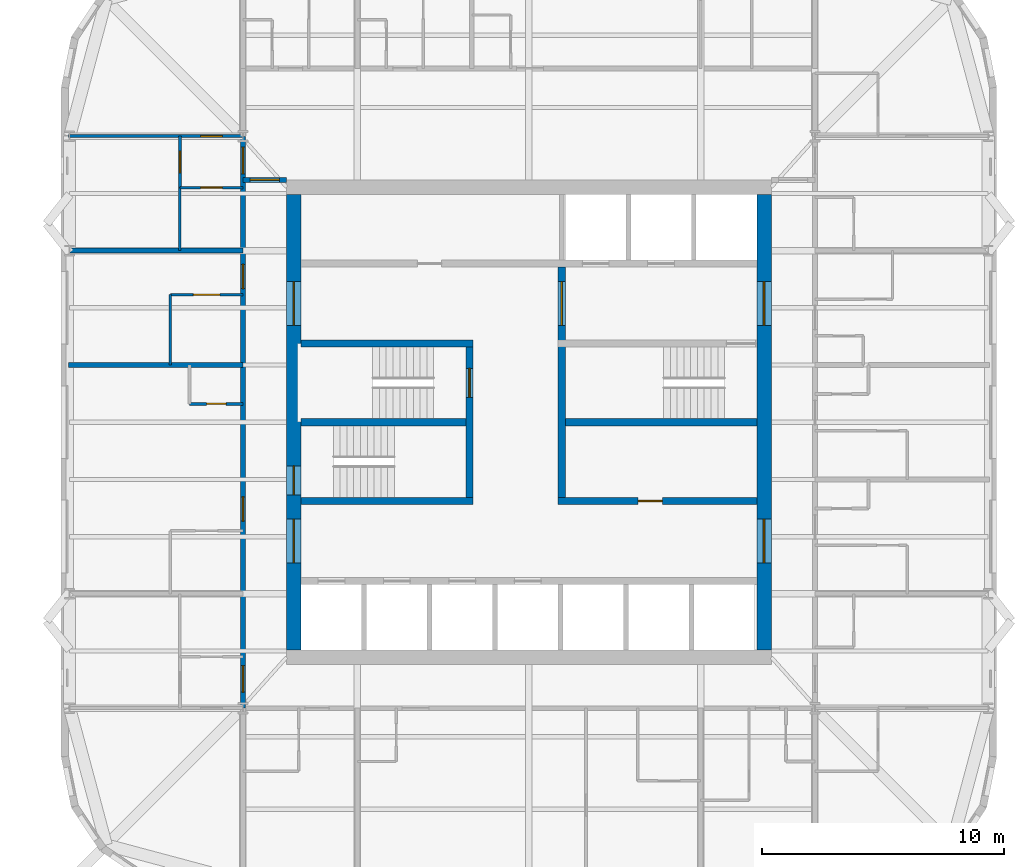
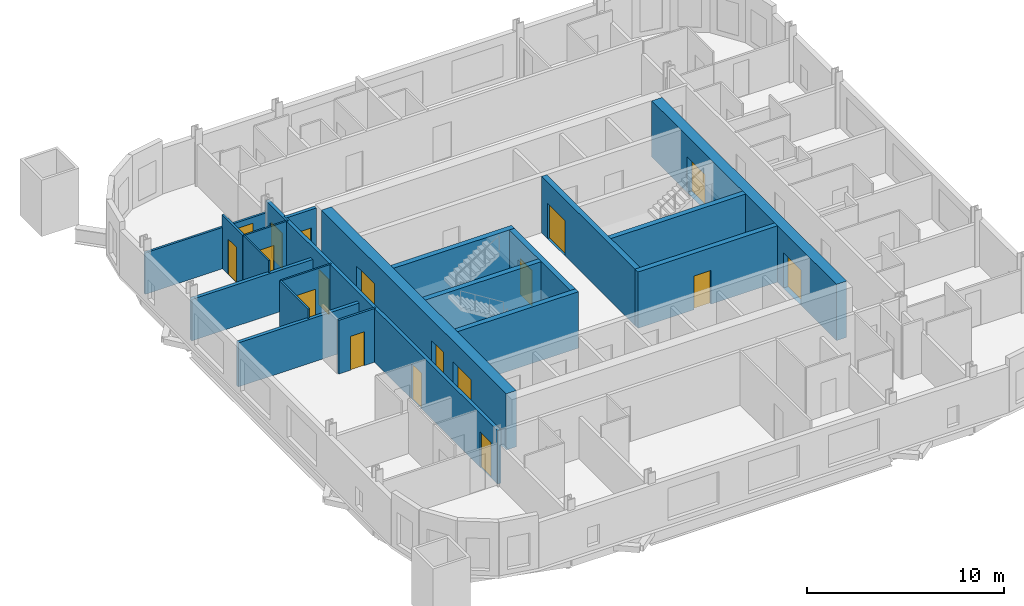
# One storey, part 4 of 9: 20 walls, 18 doors, 18 openings.
"""IFC4 building model written with IfcOpenShell, lengths in metres."""

from ifc_helpers import new_model, si_unit, direction, frame, frame_2d, origin, place, context, subcontext, project, spatial, rectangle, extrude, material, layer, layer_set, type_object, element, fill, save


model = new_model("IFC4")

# Units and contexts
model_context = context("Model", 3, precision=1e-05, world=origin(), true_north=direction((0.0, 1.0)))
body_context = subcontext(model_context, "Body", "Model", "MODEL_VIEW")
ifc_project = project(units=[si_unit("LENGTHUNIT", "METRE"), si_unit("AREAUNIT", "SQUARE_METRE"), si_unit("VOLUMEUNIT", "CUBIC_METRE"), si_unit("PLANEANGLEUNIT", "RADIAN"), si_unit("MASSUNIT", "GRAM", prefix="KILO")], contexts=[model_context])

# Site, building, storey
site_placement = place(None, origin())
site = spatial("IfcSite", under=ifc_project, at=site_placement, CompositionType="ELEMENT")
building_placement = place(site_placement, origin())
building = spatial("IfcBuilding", under=site, at=building_placement, Name="Turquesa Mirador Hotel Tower", CompositionType="ELEMENT")
storey_placement = place(building_placement, frame((0.0, 0.0, 203.800048828125)))
storey = spatial("IfcBuildingStorey", under=building, at=storey_placement, Name="L55", CompositionType="ELEMENT", Elevation=203.800048828125)

# Wall, opening, door
ifc_material_1 = material(Name="Gypsum board on steel studs", Category="steel")
ifc_layer_1 = layer(ifc_material_1, 0.10009765625)
ifc_layer_set_1 = layer_set([ifc_layer_1], Name="BATHROOM WALL 100")
wall_type_1 = type_object("IfcWallType", Name="BATHROOM WALL 100", PredefinedType="PARTITIONING", material=ifc_layer_set_1)
wall_1_placement = place(storey_placement, frame((40.199951171875, 50.260009765625, 0.0), z_axis=(0.0, 0.0, 1.0), x_axis=(1.0, 0.0, 0.0)))
wall_1 = element("IfcWall", 1, at=wall_1_placement, inside=storey, type_object=wall_type_1, Name="Partition L55 040", PredefinedType="PARTITIONING", context=body_context, shape_type="SweptSolid", body=[
    extrude(rectangle(XDim=3.0, YDim=0.10009765625, at=frame_2d((1.5, 0.0))), origin(), (0.0, 0.0, 1.0), 3.329833984375),
])
opening_1_placement = place(wall_1_placement, frame((0.949951171875, 0.0, 0.0)))
opening_1 = element("IfcOpeningElement", 2, at=opening_1_placement, cuts=wall_1, Name="Opening D16", PredefinedType="OPENING", context=body_context, shape_type="SweptSolid", body=[
    extrude(rectangle(XDim=1.10009765625, YDim=2.10009765625, at=frame_2d((0.550048828125, 1.050048828125))), frame((0.0, 0.06005859375, 0.0), z_axis=(0.0, -1.0, 0.0), x_axis=(1.0, 0.0, 0.0)), (0.0, 0.0, 1.0), 0.1201171875),
])
ifc_material_2 = material(Name="Timber veneered sliding door", Category="wood")
door_type_1 = type_object("IfcDoorType", Name="DOOR 1100X2100 ACCESSIBLE EN-SUITE", OperationType="SLIDING_TO_LEFT", PredefinedType="DOOR", material=ifc_material_2)
door_1_placement = place(opening_1_placement, origin())
door_1 = element("IfcDoor", 3, at=door_1_placement, inside=storey, type_object=door_type_1, Name="Door 5511B", OperationType="SLIDING_TO_LEFT", OverallHeight=2.10009765625, OverallWidth=1.10009765625, PredefinedType="DOOR", context=body_context, shape_type="SweptSolid", body=[
    extrude(rectangle(XDim=1.10009765625, YDim=2.10009765625, at=frame_2d((0.550048828125, 1.050048828125))), frame((0.0, 0.02490234375, 0.0), z_axis=(0.0, -1.0, 0.0), x_axis=(1.0, 0.0, 0.0)), (0.0, 0.0, 1.0), 0.050048828125),
])
fill(opening_1, door_1)

wall_2_placement = place(storey_placement, frame((40.60009765625, 54.679931640625, 0.0), z_axis=(0.0, 0.0, 1.0), x_axis=(1.0, 0.0, 0.0)))
wall_2 = element("IfcWall", 4, at=wall_2_placement, inside=storey, type_object=wall_type_1, Name="Partition L55 044", PredefinedType="PARTITIONING", context=body_context, shape_type="SweptSolid", body=[
    extrude(rectangle(XDim=2.599853515625, YDim=0.10009765625, at=frame_2d((1.2998046875, 0.0))), origin(), (0.0, 0.0, 1.0), 3.329833984375),
])
opening_2_placement = place(wall_2_placement, frame((0.85009765625, 0.0, 0.0)))
opening_2 = element("IfcOpeningElement", 5, at=opening_2_placement, cuts=wall_2, Name="Opening D02", PredefinedType="OPENING", context=body_context, shape_type="SweptSolid", body=[
    extrude(rectangle(XDim=0.89990234375, YDim=2.10009765625, at=frame_2d((0.449951171875, 1.050048828125))), frame((0.0, 0.06005859375, 0.0), z_axis=(0.0, -1.0, 0.0), x_axis=(1.0, 0.0, 0.0)), (0.0, 0.0, 1.0), 0.1201171875),
])
ifc_material_3 = material(Name="Timber veneered door", Category="wood")
door_type_2 = type_object("IfcDoorType", Name="DOOR 900X2100 EN-SUITE", OperationType="SINGLE_SWING_RIGHT", PredefinedType="DOOR", material=ifc_material_3)
door_2_placement = place(opening_2_placement, origin())
door_2 = element("IfcDoor", 6, at=door_2_placement, inside=storey, type_object=door_type_2, Name="Door 5513B", OperationType="SINGLE_SWING_RIGHT", OverallHeight=2.10009765625, OverallWidth=0.89990234375, PredefinedType="DOOR", context=body_context, shape_type="SweptSolid", body=[
    extrude(rectangle(XDim=0.89990234375, YDim=2.10009765625, at=frame_2d((0.449951171875, 1.050048828125))), frame((0.0, 0.02490234375, 0.0), z_axis=(0.0, -1.0, 0.0), x_axis=(1.0, 0.0, 0.0)), (0.0, 0.0, 1.0), 0.050048828125),
])
fill(opening_2, door_2)

# Walls
wall_3_placement = place(storey_placement, frame((40.60009765625, 52.080078125, 0.0), z_axis=(0.0, 0.0, 1.0), x_axis=(0.0, 1.0, 0.0)))
element("IfcWall", 7, at=wall_3_placement, inside=storey, type_object=wall_type_1, Name="Partition L55 052", PredefinedType="PARTITIONING", context=body_context, shape_type="SweptSolid", body=[
    extrude(rectangle(XDim=2.599853515625, YDim=0.10009765625, at=frame_2d((1.2998046875, 0.0))), origin(), (0.0, 0.0, 1.0), 3.329833984375),
])
wall_4_placement = place(storey_placement, frame((40.199951171875, 47.360107421875, 0.0), z_axis=(0.0, 0.0, 1.0), x_axis=(0.0, 1.0, 0.0)))
element("IfcWall", 8, at=wall_4_placement, inside=storey, type_object=wall_type_1, Name="Partition L55 056", PredefinedType="PARTITIONING", context=body_context, shape_type="SweptSolid", body=[
    extrude(rectangle(XDim=2.89990234375, YDim=0.10009765625, at=frame_2d((1.449951171875, 0.0))), origin(), (0.0, 0.0, 1.0), 3.329833984375),
])
ifc_material_4 = material(Name="Concrete C50/60", Category="concrete")
ifc_layer_2 = layer(ifc_material_4, 0.300048828125)
ifc_layer_set_2 = layer_set([ifc_layer_2], Name="CORE INNER WALL 300")
wall_type_2 = type_object("IfcWallType", Name="CORE INNER WALL 300", PredefinedType="SHEAR", material=ifc_layer_set_2)
for number, where, z_axis, x_axis, name in (
    (9, (45.60009765625, 48.25, 0.0), (0.0, 0.0, 1.0), (1.0, 0.0, 0.0), "Core wall MN-W"),
    (10, (45.60009765625, 41.75, 0.0), (0.0, 0.0, 1.0), (1.0, 0.0, 0.0), "Core wall MS-W"),
):
    element("IfcWall", number, at=place(storey_placement, frame(where, z_axis=z_axis, x_axis=x_axis)), inside=storey, type_object=wall_type_2, Name=name, PredefinedType="SHEAR", context=body_context, shape_type="SweptSolid", body=[
        extrude(rectangle(XDim=7.099853515625, YDim=0.300048828125, at=frame_2d((3.5498046875, 0.0))), origin(), (0.0, 0.0, 1.0), 3.5),
    ])

# Wall, opening, door
wall_5_placement = place(storey_placement, frame((56.199951171875, 41.75, 0.0), z_axis=(0.0, 0.0, 1.0), x_axis=(1.0, 0.0, 0.0)))
wall_5 = element("IfcWall", 11, at=wall_5_placement, inside=storey, type_object=wall_type_2, Name="Core wall MS-E", PredefinedType="SHEAR", context=body_context, shape_type="SweptSolid", body=[
    extrude(rectangle(XDim=8.199951171875, YDim=0.300048828125, at=frame_2d((4.10009765625, 0.0))), origin(), (0.0, 0.0, 1.0), 3.5),
])
opening_3_placement = place(wall_5_placement, frame((3.300048828125, 0.0, 0.0)))
opening_3 = element("IfcOpeningElement", 12, at=opening_3_placement, cuts=wall_5, Name="Opening D05", PredefinedType="OPENING", context=body_context, shape_type="SweptSolid", body=[
    extrude(rectangle(XDim=1.0, YDim=2.10009765625, at=frame_2d((0.5, 1.050048828125))), frame((0.0, 0.159912109375, 0.0), z_axis=(0.0, -1.0, 0.0), x_axis=(1.0, 0.0, 0.0)), (0.0, 0.0, 1.0), 0.320068359375),
])
ifc_material_5 = material(Name="Steel fire door", Category="steel")
door_type_3 = type_object("IfcDoorType", Name="DOOR 1000X2100 SERVICE", OperationType="SINGLE_SWING_LEFT", PredefinedType="DOOR", material=ifc_material_5)
door_3_placement = place(opening_3_placement, origin())
door_3 = element("IfcDoor", 13, at=door_3_placement, inside=storey, type_object=door_type_3, Name="Housekeeping room door", OperationType="SINGLE_SWING_LEFT", OverallHeight=2.10009765625, OverallWidth=1.0, PredefinedType="DOOR", context=body_context, shape_type="SweptSolid", body=[
    extrude(rectangle(XDim=1.0, YDim=2.10009765625, at=frame_2d((0.5, 1.050048828125))), frame((0.0, 0.02490234375, 0.0), z_axis=(0.0, -1.0, 0.0), x_axis=(1.0, 0.0, 0.0)), (0.0, 0.0, 1.0), 0.050048828125),
])
fill(opening_3, door_3)

wall_6_placement = place(storey_placement, frame((52.550048828125, 41.89990234375, 0.0), z_axis=(0.0, 0.0, 1.0), x_axis=(0.0, 1.0, 0.0)))
wall_6 = element("IfcWall", 14, at=wall_6_placement, inside=storey, type_object=wall_type_2, Name="Core wall PW", PredefinedType="SHEAR", context=body_context, shape_type="SweptSolid", body=[
    extrude(rectangle(XDim=6.2001953125, YDim=0.300048828125, at=frame_2d((3.10009765625, 0.0))), origin(), (0.0, 0.0, 1.0), 3.5),
])
opening_4_placement = place(wall_6_placement, frame((4.125, 0.0, 0.0)))
opening_4 = element("IfcOpeningElement", 15, at=opening_4_placement, cuts=wall_6, Name="Opening D03", PredefinedType="OPENING", context=body_context, shape_type="SweptSolid", body=[
    extrude(rectangle(XDim=1.199951171875, YDim=2.199951171875, at=frame_2d((0.60009765625, 1.10009765625))), frame((0.0, 0.159912109375, 0.0), z_axis=(0.0, -1.0, 0.0), x_axis=(1.0, 0.0, 0.0)), (0.0, 0.0, 1.0), 0.320068359375),
])
ifc_material_6 = material(Name="Steel fire door", Category="steel")
door_type_4 = type_object("IfcDoorType", Name="DOOR 1200X2200 STAIR", OperationType="SINGLE_SWING_LEFT", PredefinedType="DOOR", material=ifc_material_6)
door_4_placement = place(opening_4_placement, origin())
door_4 = element("IfcDoor", 16, at=door_4_placement, inside=storey, type_object=door_type_4, Name="Stair ST1 door", OperationType="SINGLE_SWING_LEFT", OverallHeight=2.199951171875, OverallWidth=1.199951171875, PredefinedType="DOOR", context=body_context, shape_type="SweptSolid", body=[
    extrude(rectangle(XDim=1.199951171875, YDim=2.199951171875, at=frame_2d((0.60009765625, 1.10009765625))), frame((0.0, 0.02490234375, 0.0), z_axis=(0.0, -1.0, 0.0), x_axis=(1.0, 0.0, 0.0)), (0.0, 0.0, 1.0), 0.050048828125),
])
fill(opening_4, door_4)

wall_7_placement = place(storey_placement, frame((56.35009765625, 41.89990234375, 0.0), z_axis=(0.0, 0.0, 1.0), x_axis=(0.0, 1.0, 0.0)))
wall_7 = element("IfcWall", 17, at=wall_7_placement, inside=storey, type_object=wall_type_2, Name="Core wall PE", PredefinedType="SHEAR", context=body_context, shape_type="SweptSolid", body=[
    extrude(rectangle(XDim=9.5, YDim=0.300048828125, at=frame_2d((4.75, 0.0))), origin(), (0.0, 0.0, 1.0), 3.5),
])
opening_5_placement = place(wall_7_placement, frame((7.10009765625, 0.0, 0.0)))
opening_5 = element("IfcOpeningElement", 18, at=opening_5_placement, cuts=wall_7, Name="Opening D04", PredefinedType="OPENING", context=body_context, shape_type="SweptSolid", body=[
    extrude(rectangle(XDim=1.800048828125, YDim=2.199951171875, at=frame_2d((0.89990234375, 1.10009765625))), frame((0.0, 0.159912109375, 0.0), z_axis=(0.0, -1.0, 0.0), x_axis=(1.0, 0.0, 0.0)), (0.0, 0.0, 1.0), 0.320068359375),
])
ifc_material_7 = material(Name="Steel fire door pair", Category="steel")
door_type_5 = type_object("IfcDoorType", Name="DOOR 1800X2200 PAIR", OperationType="DOUBLE_DOOR_SINGLE_SWING", PredefinedType="DOOR", material=ifc_material_7)
door_5_placement = place(opening_5_placement, origin())
door_5 = element("IfcDoor", 19, at=door_5_placement, inside=storey, type_object=door_type_5, Name="Firefighting lobby inner door", OperationType="DOUBLE_DOOR_SINGLE_SWING", OverallHeight=2.199951171875, OverallWidth=1.800048828125, PredefinedType="DOOR", context=body_context, shape_type="SweptSolid", body=[
    extrude(rectangle(XDim=1.800048828125, YDim=2.199951171875, at=frame_2d((0.89990234375, 1.10009765625))), frame((0.0, 0.02490234375, 0.0), z_axis=(0.0, -1.0, 0.0), x_axis=(1.0, 0.0, 0.0)), (0.0, 0.0, 1.0), 0.050048828125),
])
fill(opening_5, door_5)

# Walls
wall_8_placement = place(storey_placement, frame((45.60009765625, 45.0, 0.0), z_axis=(0.0, 0.0, 1.0), x_axis=(1.0, 0.0, 0.0)))
element("IfcWall", 20, at=wall_8_placement, inside=storey, type_object=wall_type_2, Name="Core wall M0-W", PredefinedType="SHEAR", context=body_context, shape_type="SweptSolid", body=[
    extrude(rectangle(XDim=6.7998046875, YDim=0.300048828125, at=frame_2d((3.39990234375, 0.0))), origin(), (0.0, 0.0, 1.0), 3.5),
])
wall_9_placement = place(storey_placement, frame((56.5, 45.0, 0.0), z_axis=(0.0, 0.0, 1.0), x_axis=(1.0, 0.0, 0.0)))
element("IfcWall", 21, at=wall_9_placement, inside=storey, type_object=wall_type_2, Name="Core wall M0-E", PredefinedType="SHEAR", context=body_context, shape_type="SweptSolid", body=[
    extrude(rectangle(XDim=7.89990234375, YDim=0.300048828125, at=frame_2d((3.949951171875, 0.0))), origin(), (0.0, 0.0, 1.0), 3.5),
])

# Wall, openings, doors
ifc_material_8 = material(Name="Concrete C50/60", Category="concrete")
ifc_layer_3 = layer(ifc_material_8, 0.60009765625)
ifc_layer_set_3 = layer_set([ifc_layer_3], Name="CORE WALL 600")
wall_type_3 = type_object("IfcWallType", Name="CORE WALL 600", PredefinedType="SHEAR", material=ifc_layer_set_3)
wall_10_placement = place(storey_placement, frame((64.699951171875, 35.60009765625, 0.0), z_axis=(0.0, 0.0, 1.0), x_axis=(0.0, 1.0, 0.0)))
wall_10 = element("IfcWall", 22, at=wall_10_placement, inside=storey, type_object=wall_type_3, Name="Core wall E", PredefinedType="SHEAR", context=body_context, shape_type="SweptSolid", body=[
    extrude(rectangle(XDim=18.7998046875, YDim=0.60009765625, at=frame_2d((9.39990234375, 0.0))), origin(), (0.0, 0.0, 1.0), 3.5),
])
opening_6_placement = place(wall_10_placement, frame((13.39990234375, 0.0, 0.0)))
opening_6 = element("IfcOpeningElement", 23, at=opening_6_placement, cuts=wall_10, Name="Opening D04", PredefinedType="OPENING", context=body_context, shape_type="SweptSolid", body=[
    extrude(rectangle(XDim=1.800048828125, YDim=2.199951171875, at=frame_2d((0.89990234375, 1.10009765625))), frame((0.0, 0.31005859375, 0.0), z_axis=(0.0, -1.0, 0.0), x_axis=(1.0, 0.0, 0.0)), (0.0, 0.0, 1.0), 0.6201171875),
])
opening_7_placement = place(wall_10_placement, frame((3.60009765625, 0.0, 0.0)))
opening_7 = element("IfcOpeningElement", 24, at=opening_7_placement, cuts=wall_10, Name="Opening D04", PredefinedType="OPENING", context=body_context, shape_type="SweptSolid", body=[
    extrude(rectangle(XDim=1.800048828125, YDim=2.199951171875, at=frame_2d((0.89990234375, 1.10009765625))), frame((0.0, 0.31005859375, 0.0), z_axis=(0.0, -1.0, 0.0), x_axis=(1.0, 0.0, 0.0)), (0.0, 0.0, 1.0), 0.6201171875),
])
door_6_placement = place(opening_6_placement, origin())
door_6 = element("IfcDoor", 25, at=door_6_placement, inside=storey, type_object=door_type_5, Name="Firefighting lobby door", OperationType="DOUBLE_DOOR_SINGLE_SWING", OverallHeight=2.199951171875, OverallWidth=1.800048828125, PredefinedType="DOOR", context=body_context, shape_type="SweptSolid", body=[
    extrude(rectangle(XDim=1.800048828125, YDim=2.199951171875, at=frame_2d((0.89990234375, 1.10009765625))), frame((0.0, 0.02490234375, 0.0), z_axis=(0.0, -1.0, 0.0), x_axis=(1.0, 0.0, 0.0)), (0.0, 0.0, 1.0), 0.050048828125),
])
fill(opening_6, door_6)
door_7_placement = place(opening_7_placement, origin())
door_7 = element("IfcDoor", 26, at=door_7_placement, inside=storey, type_object=door_type_5, Name="South lift lobby door", OperationType="DOUBLE_DOOR_SINGLE_SWING", OverallHeight=2.199951171875, OverallWidth=1.800048828125, PredefinedType="DOOR", context=body_context, shape_type="SweptSolid", body=[
    extrude(rectangle(XDim=1.800048828125, YDim=2.199951171875, at=frame_2d((0.89990234375, 1.10009765625))), frame((0.0, 0.02490234375, 0.0), z_axis=(0.0, -1.0, 0.0), x_axis=(1.0, 0.0, 0.0)), (0.0, 0.0, 1.0), 0.050048828125),
])
fill(opening_7, door_7)

wall_11_placement = place(storey_placement, frame((45.300048828125, 35.60009765625, 0.0), z_axis=(0.0, 0.0, 1.0), x_axis=(0.0, 1.0, 0.0)))
wall_11 = element("IfcWall", 27, at=wall_11_placement, inside=storey, type_object=wall_type_3, Name="Core wall W", PredefinedType="SHEAR", context=body_context, shape_type="SweptSolid", body=[
    extrude(rectangle(XDim=18.7998046875, YDim=0.60009765625, at=frame_2d((9.39990234375, 0.0))), origin(), (0.0, 0.0, 1.0), 3.5),
])
opening_8_placement = place(wall_11_placement, frame((13.39990234375, 0.0, 0.0)))
opening_8 = element("IfcOpeningElement", 28, at=opening_8_placement, cuts=wall_11, Name="Opening D04", PredefinedType="OPENING", context=body_context, shape_type="SweptSolid", body=[
    extrude(rectangle(XDim=1.800048828125, YDim=2.199951171875, at=frame_2d((0.89990234375, 1.10009765625))), frame((0.0, 0.31005859375, 0.0), z_axis=(0.0, -1.0, 0.0), x_axis=(1.0, 0.0, 0.0)), (0.0, 0.0, 1.0), 0.6201171875),
])
opening_9_placement = place(wall_11_placement, frame((3.60009765625, 0.0, 0.0)))
opening_9 = element("IfcOpeningElement", 29, at=opening_9_placement, cuts=wall_11, Name="Opening D04", PredefinedType="OPENING", context=body_context, shape_type="SweptSolid", body=[
    extrude(rectangle(XDim=1.800048828125, YDim=2.199951171875, at=frame_2d((0.89990234375, 1.10009765625))), frame((0.0, 0.31005859375, 0.0), z_axis=(0.0, -1.0, 0.0), x_axis=(1.0, 0.0, 0.0)), (0.0, 0.0, 1.0), 0.6201171875),
])
opening_10_placement = place(wall_11_placement, frame((6.39990234375, 0.0, 0.0)))
opening_10 = element("IfcOpeningElement", 30, at=opening_10_placement, cuts=wall_11, Name="Opening D03", PredefinedType="OPENING", context=body_context, shape_type="SweptSolid", body=[
    extrude(rectangle(XDim=1.199951171875, YDim=2.199951171875, at=frame_2d((0.60009765625, 1.10009765625))), frame((0.0, 0.31005859375, 0.0), z_axis=(0.0, -1.0, 0.0), x_axis=(1.0, 0.0, 0.0)), (0.0, 0.0, 1.0), 0.6201171875),
])
door_8_placement = place(opening_10_placement, origin())
door_8 = element("IfcDoor", 31, at=door_8_placement, inside=storey, type_object=door_type_4, Name="Stair ST2 door", OperationType="SINGLE_SWING_LEFT", OverallHeight=2.199951171875, OverallWidth=1.199951171875, PredefinedType="DOOR", context=body_context, shape_type="SweptSolid", body=[
    extrude(rectangle(XDim=1.199951171875, YDim=2.199951171875, at=frame_2d((0.60009765625, 1.10009765625))), frame((0.0, 0.02490234375, 0.0), z_axis=(0.0, -1.0, 0.0), x_axis=(1.0, 0.0, 0.0)), (0.0, 0.0, 1.0), 0.050048828125),
])
fill(opening_10, door_8)
door_9_placement = place(opening_8_placement, origin())
door_9 = element("IfcDoor", 32, at=door_9_placement, inside=storey, type_object=door_type_5, Name="North lift lobby door", OperationType="DOUBLE_DOOR_SINGLE_SWING", OverallHeight=2.199951171875, OverallWidth=1.800048828125, PredefinedType="DOOR", context=body_context, shape_type="SweptSolid", body=[
    extrude(rectangle(XDim=1.800048828125, YDim=2.199951171875, at=frame_2d((0.89990234375, 1.10009765625))), frame((0.0, 0.02490234375, 0.0), z_axis=(0.0, -1.0, 0.0), x_axis=(1.0, 0.0, 0.0)), (0.0, 0.0, 1.0), 0.050048828125),
])
fill(opening_8, door_9)
door_10_placement = place(opening_9_placement, origin())
door_10 = element("IfcDoor", 33, at=door_10_placement, inside=storey, type_object=door_type_5, Name="South lift lobby door", OperationType="DOUBLE_DOOR_SINGLE_SWING", OverallHeight=2.199951171875, OverallWidth=1.800048828125, PredefinedType="DOOR", context=body_context, shape_type="SweptSolid", body=[
    extrude(rectangle(XDim=1.800048828125, YDim=2.199951171875, at=frame_2d((0.89990234375, 1.10009765625))), frame((0.0, 0.02490234375, 0.0), z_axis=(0.0, -1.0, 0.0), x_axis=(1.0, 0.0, 0.0)), (0.0, 0.0, 1.0), 0.050048828125),
])
fill(opening_9, door_10)

# Wall, opening, door
ifc_material_9 = material(Name="Fire-rated gypsum board on steel studs", Category="steel")
ifc_layer_4 = layer(ifc_material_9, 0.199951171875)
ifc_layer_set_4 = layer_set([ifc_layer_4], Name="CORRIDOR WALL 200")
wall_type_4 = type_object("IfcWallType", Name="CORRIDOR WALL 200", PredefinedType="PARTITIONING", material=ifc_layer_set_4)
wall_12_placement = place(storey_placement, frame((43.199951171875, 55.0, 0.0), z_axis=(0.0, 0.0, 1.0), x_axis=(1.0, 0.0, 0.0)))
wall_12 = element("IfcWall", 34, at=wall_12_placement, inside=storey, type_object=wall_type_4, Name="Partition L55 022", PredefinedType="PARTITIONING", context=body_context, shape_type="SweptSolid", body=[
    extrude(rectangle(XDim=1.800048828125, YDim=0.199951171875, at=frame_2d((0.89990234375, 0.0))), origin(), (0.0, 0.0, 1.0), 3.329833984375),
])
opening_11_placement = place(wall_12_placement, frame((0.300048828125, 0.0, 0.0)))
opening_11 = element("IfcOpeningElement", 35, at=opening_11_placement, cuts=wall_12, Name="Opening D19", PredefinedType="OPENING", context=body_context, shape_type="SweptSolid", body=[
    extrude(rectangle(XDim=1.199951171875, YDim=2.199951171875, at=frame_2d((0.60009765625, 1.10009765625))), frame((0.0, 0.10986328125, 0.0), z_axis=(0.0, -1.0, 0.0), x_axis=(1.0, 0.0, 0.0)), (0.0, 0.0, 1.0), 0.219970703125),
])
ifc_material_10 = material(Name="Steel glazed fire door", Category="steel")
door_type_6 = type_object("IfcDoorType", Name="DOOR 1200X2200 FIRE DOOR GLAZED", OperationType="SINGLE_SWING_LEFT", PredefinedType="DOOR", material=ifc_material_10)
door_11_placement = place(opening_11_placement, origin())
door_11 = element("IfcDoor", 36, at=door_11_placement, inside=storey, type_object=door_type_6, Name="Door L55-C03", OperationType="SINGLE_SWING_LEFT", OverallHeight=2.199951171875, OverallWidth=1.199951171875, PredefinedType="DOOR", context=body_context, shape_type="SweptSolid", body=[
    extrude(rectangle(XDim=1.199951171875, YDim=2.199951171875, at=frame_2d((0.60009765625, 1.10009765625))), frame((0.0, 0.02490234375, 0.0), z_axis=(0.0, -1.0, 0.0), x_axis=(1.0, 0.0, 0.0)), (0.0, 0.0, 1.0), 0.050048828125),
])
fill(opening_11, door_11)

# Wall, openings, doors
wall_13_placement = place(storey_placement, frame((43.199951171875, 33.199951171875, 0.0), z_axis=(0.0, 0.0, 1.0), x_axis=(0.0, 1.0, 0.0)))
wall_13 = element("IfcWall", 37, at=wall_13_placement, inside=storey, type_object=wall_type_4, Name="Partition L55 047", PredefinedType="PARTITIONING", context=body_context, shape_type="SweptSolid", body=[
    extrude(rectangle(XDim=23.580078125, YDim=0.199951171875, at=frame_2d((11.7900390625, 0.0))), origin(), (0.0, 0.0, 1.0), 3.329833984375),
])
opening_12_placement = place(wall_13_placement, frame((7.719970703125, 0.0, 0.0)))
opening_12 = element("IfcOpeningElement", 38, at=opening_12_placement, cuts=wall_13, Name="Opening D01", PredefinedType="OPENING", context=body_context, shape_type="SweptSolid", body=[
    extrude(rectangle(XDim=1.0, YDim=2.199951171875, at=frame_2d((0.5, 1.10009765625))), frame((0.0, 0.10986328125, 0.0), z_axis=(0.0, -1.0, 0.0), x_axis=(1.0, 0.0, 0.0)), (0.0, 0.0, 1.0), 0.219970703125),
])
opening_13_placement = place(wall_13_placement, frame((17.31005859375, 0.0, 0.0)))
opening_13 = element("IfcOpeningElement", 39, at=opening_13_placement, cuts=wall_13, Name="Opening D01", PredefinedType="OPENING", context=body_context, shape_type="SweptSolid", body=[
    extrude(rectangle(XDim=1.0, YDim=2.199951171875, at=frame_2d((0.5, 1.10009765625))), frame((0.0, 0.10986328125, 0.0), z_axis=(0.0, -1.0, 0.0), x_axis=(1.0, 0.0, 0.0)), (0.0, 0.0, 1.0), 0.219970703125),
])
opening_14_placement = place(wall_13_placement, frame((22.050048828125, 0.0, 0.0)))
opening_14 = element("IfcOpeningElement", 40, at=opening_14_placement, cuts=wall_13, Name="Opening D15", PredefinedType="OPENING", context=body_context, shape_type="SweptSolid", body=[
    extrude(rectangle(XDim=1.10009765625, YDim=2.199951171875, at=frame_2d((0.550048828125, 1.10009765625))), frame((0.0, 0.10986328125, 0.0), z_axis=(0.0, -1.0, 0.0), x_axis=(1.0, 0.0, 0.0)), (0.0, 0.0, 1.0), 0.219970703125),
])
opening_15_placement = place(wall_13_placement, frame((0.659912109375, 0.0, 0.0)))
opening_15 = element("IfcOpeningElement", 41, at=opening_15_placement, cuts=wall_13, Name="Opening D15", PredefinedType="OPENING", context=body_context, shape_type="SweptSolid", body=[
    extrude(rectangle(XDim=1.10009765625, YDim=2.199951171875, at=frame_2d((0.550048828125, 1.10009765625))), frame((0.0, 0.10986328125, 0.0), z_axis=(0.0, -1.0, 0.0), x_axis=(1.0, 0.0, 0.0)), (0.0, 0.0, 1.0), 0.219970703125),
])
ifc_material_11 = material(Name="Timber veneered fire door", Category="wood")
door_type_7 = type_object("IfcDoorType", Name="DOOR 1000X2200 GUEST ENTRY", OperationType="SINGLE_SWING_LEFT", PredefinedType="DOOR", material=ifc_material_11)
door_12_placement = place(opening_12_placement, origin())
door_12 = element("IfcDoor", 42, at=door_12_placement, inside=storey, type_object=door_type_7, Name="Door 5510", OperationType="SINGLE_SWING_LEFT", OverallHeight=2.199951171875, OverallWidth=1.0, PredefinedType="DOOR", context=body_context, shape_type="SweptSolid", body=[
    extrude(rectangle(XDim=1.0, YDim=2.199951171875, at=frame_2d((0.5, 1.10009765625))), frame((0.0, 0.02490234375, 0.0), z_axis=(0.0, -1.0, 0.0), x_axis=(1.0, 0.0, 0.0)), (0.0, 0.0, 1.0), 0.050048828125),
])
fill(opening_12, door_12)
door_13_placement = place(opening_13_placement, origin())
door_13 = element("IfcDoor", 43, at=door_13_placement, inside=storey, type_object=door_type_7, Name="Door 5511", OperationType="SINGLE_SWING_LEFT", OverallHeight=2.199951171875, OverallWidth=1.0, PredefinedType="DOOR", context=body_context, shape_type="SweptSolid", body=[
    extrude(rectangle(XDim=1.0, YDim=2.199951171875, at=frame_2d((0.5, 1.10009765625))), frame((0.0, 0.02490234375, 0.0), z_axis=(0.0, -1.0, 0.0), x_axis=(1.0, 0.0, 0.0)), (0.0, 0.0, 1.0), 0.050048828125),
])
fill(opening_13, door_13)
ifc_material_12 = material(Name="Timber veneered fire door", Category="wood")
door_type_8 = type_object("IfcDoorType", Name="DOOR 1100X2200 SUITE ENTRY", OperationType="SINGLE_SWING_LEFT", PredefinedType="DOOR", material=ifc_material_12)
door_14_placement = place(opening_14_placement, origin())
door_14 = element("IfcDoor", 44, at=door_14_placement, inside=storey, type_object=door_type_8, Name="Door 5513H", OperationType="SINGLE_SWING_LEFT", OverallHeight=2.199951171875, OverallWidth=1.10009765625, PredefinedType="DOOR", context=body_context, shape_type="SweptSolid", body=[
    extrude(rectangle(XDim=1.10009765625, YDim=2.199951171875, at=frame_2d((0.550048828125, 1.10009765625))), frame((0.0, 0.02490234375, 0.0), z_axis=(0.0, -1.0, 0.0), x_axis=(1.0, 0.0, 0.0)), (0.0, 0.0, 1.0), 0.050048828125),
])
fill(opening_14, door_14)
door_15_placement = place(opening_15_placement, origin())
door_15 = element("IfcDoor", 45, at=door_15_placement, inside=storey, type_object=door_type_8, Name="Door 5514H", OperationType="SINGLE_SWING_LEFT", OverallHeight=2.199951171875, OverallWidth=1.10009765625, PredefinedType="DOOR", context=body_context, shape_type="SweptSolid", body=[
    extrude(rectangle(XDim=1.10009765625, YDim=2.199951171875, at=frame_2d((0.550048828125, 1.10009765625))), frame((0.0, 0.02490234375, 0.0), z_axis=(0.0, -1.0, 0.0), x_axis=(1.0, 0.0, 0.0)), (0.0, 0.0, 1.0), 0.050048828125),
])
fill(opening_15, door_15)

# Walls
ifc_material_13 = material(Name="Fire-rated gypsum board on steel studs", Category="steel")
ifc_layer_5 = layer(ifc_material_13, 0.199951171875)
ifc_layer_set_5 = layer_set([ifc_layer_5], Name="PARTY WALL 200")
wall_type_5 = type_object("IfcWallType", Name="PARTY WALL 200", PredefinedType="PARTITIONING", material=ifc_layer_set_5)
wall_14_placement = place(storey_placement, frame((36.0, 47.360107421875, 0.0), z_axis=(0.0, 0.0, 1.0), x_axis=(1.0, 0.0, 0.0)))
element("IfcWall", 46, at=wall_14_placement, inside=storey, type_object=wall_type_5, Name="Partition L55 035", PredefinedType="PARTITIONING", context=body_context, shape_type="SweptSolid", body=[
    extrude(rectangle(XDim=7.199951171875, YDim=0.199951171875, at=frame_2d((3.60009765625, 0.0))), origin(), (0.0, 0.0, 1.0), 2.73046875),
])
wall_15_placement = place(storey_placement, frame((36.0, 52.080078125, 0.0), z_axis=(0.0, 0.0, 1.0), x_axis=(1.0, 0.0, 0.0)))
element("IfcWall", 47, at=wall_15_placement, inside=storey, type_object=wall_type_5, Name="Partition L55 041", PredefinedType="PARTITIONING", context=body_context, shape_type="SweptSolid", body=[
    extrude(rectangle(XDim=7.199951171875, YDim=0.199951171875, at=frame_2d((3.60009765625, 0.0))), origin(), (0.0, 0.0, 1.0), 2.572998046875),
])

# Wall, opening, door
ifc_material_14 = material(Name="Acoustic gypsum board on steel studs", Category="steel")
ifc_layer_6 = layer(ifc_material_14, 0.125)
ifc_layer_set_6 = layer_set([ifc_layer_6], Name="SUITE PARTITION 125")
wall_type_6 = type_object("IfcWallType", Name="SUITE PARTITION 125", PredefinedType="PARTITIONING", material=ifc_layer_set_6)
wall_16_placement = place(storey_placement, frame((41.0, 45.760009765625, 0.0), z_axis=(0.0, 0.0, 1.0), x_axis=(1.0, 0.0, 0.0)))
wall_16 = element("IfcWall", 48, at=wall_16_placement, inside=storey, type_object=wall_type_6, Name="Partition L55 020", PredefinedType="PARTITIONING", context=body_context, shape_type="SweptSolid", body=[
    extrude(rectangle(XDim=2.199951171875, YDim=0.125, at=frame_2d((1.10009765625, 0.0))), origin(), (0.0, 0.0, 1.0), 3.329833984375),
])
opening_16_placement = place(wall_16_placement, frame((0.699951171875, 0.0, 0.0)))
opening_16 = element("IfcOpeningElement", 49, at=opening_16_placement, cuts=wall_16, Name="Opening D20", PredefinedType="OPENING", context=body_context, shape_type="SweptSolid", body=[
    extrude(rectangle(XDim=0.800048828125, YDim=2.10009765625, at=frame_2d((0.39990234375, 1.050048828125))), frame((0.0, 0.072509765625, 0.0), z_axis=(0.0, -1.0, 0.0), x_axis=(1.0, 0.0, 0.0)), (0.0, 0.0, 1.0), 0.14501953125),
])
ifc_material_15 = material(Name="Timber veneered sliding door", Category="wood")
door_type_9 = type_object("IfcDoorType", Name="DOOR 800X2100 WARDROBE", OperationType="SLIDING_TO_LEFT", PredefinedType="DOOR", material=ifc_material_15)
door_16_placement = place(opening_16_placement, origin())
door_16 = element("IfcDoor", 50, at=door_16_placement, inside=storey, type_object=door_type_9, Name="Door 5510W", OperationType="SLIDING_TO_LEFT", OverallHeight=2.10009765625, OverallWidth=0.800048828125, PredefinedType="DOOR", context=body_context, shape_type="SweptSolid", body=[
    extrude(rectangle(XDim=0.800048828125, YDim=2.10009765625, at=frame_2d((0.39990234375, 1.050048828125))), frame((0.0, 0.02490234375, 0.0), z_axis=(0.0, -1.0, 0.0), x_axis=(1.0, 0.0, 0.0)), (0.0, 0.0, 1.0), 0.050048828125),
])
fill(opening_16, door_16)

wall_17_placement = place(storey_placement, frame((36.0, 56.800048828125, 0.0), z_axis=(0.0, 0.0, 1.0), x_axis=(1.0, 0.0, 0.0)))
wall_17 = element("IfcWall", 51, at=wall_17_placement, inside=storey, type_object=wall_type_6, Name="Partition L55 025", PredefinedType="PARTITIONING", context=body_context, shape_type="SweptSolid", body=[
    extrude(rectangle(XDim=7.199951171875, YDim=0.125, at=frame_2d((3.60009765625, 0.0))), origin(), (0.0, 0.0, 1.0), 2.572998046875),
])
opening_17_placement = place(wall_17_placement, frame((5.449951171875, 0.0, 0.0)))
opening_17 = element("IfcOpeningElement", 52, at=opening_17_placement, cuts=wall_17, Name="Opening D17", PredefinedType="OPENING", context=body_context, shape_type="SweptSolid", body=[
    extrude(rectangle(XDim=0.89990234375, YDim=2.199951171875, at=frame_2d((0.449951171875, 1.10009765625))), frame((0.0, 0.072509765625, 0.0), z_axis=(0.0, -1.0, 0.0), x_axis=(1.0, 0.0, 0.0)), (0.0, 0.0, 1.0), 0.14501953125),
])
ifc_material_16 = material(Name="Timber veneered door", Category="wood")
door_type_10 = type_object("IfcDoorType", Name="DOOR 900X2200 SUITE INTERNAL", OperationType="SINGLE_SWING_LEFT", PredefinedType="DOOR", material=ifc_material_16)
door_17_placement = place(opening_17_placement, origin())
door_17 = element("IfcDoor", 53, at=door_17_placement, inside=storey, type_object=door_type_10, Name="Door 5513", OperationType="SINGLE_SWING_LEFT", OverallHeight=2.199951171875, OverallWidth=0.89990234375, PredefinedType="DOOR", context=body_context, shape_type="SweptSolid", body=[
    extrude(rectangle(XDim=0.89990234375, YDim=2.199951171875, at=frame_2d((0.449951171875, 1.10009765625))), frame((0.0, 0.02490234375, 0.0), z_axis=(0.0, -1.0, 0.0), x_axis=(1.0, 0.0, 0.0)), (0.0, 0.0, 1.0), 0.050048828125),
])
fill(opening_17, door_17)

wall_18_placement = place(storey_placement, frame((40.60009765625, 54.679931640625, 0.0), z_axis=(0.0, 0.0, 1.0), x_axis=(0.0, 1.0, 0.0)))
wall_18 = element("IfcWall", 54, at=wall_18_placement, inside=storey, type_object=wall_type_6, Name="Partition L55 054", PredefinedType="PARTITIONING", context=body_context, shape_type="SweptSolid", body=[
    extrude(rectangle(XDim=2.1201171875, YDim=0.125, at=frame_2d((1.06005859375, 0.0))), origin(), (0.0, 0.0, 1.0), 3.329833984375),
])
opening_18_placement = place(wall_18_placement, frame((0.610107421875, 0.0, 0.0)))
opening_18 = element("IfcOpeningElement", 55, at=opening_18_placement, cuts=wall_18, Name="Opening D17", PredefinedType="OPENING", context=body_context, shape_type="SweptSolid", body=[
    extrude(rectangle(XDim=0.89990234375, YDim=2.199951171875, at=frame_2d((0.449951171875, 1.10009765625))), frame((0.0, 0.072509765625, 0.0), z_axis=(0.0, -1.0, 0.0), x_axis=(1.0, 0.0, 0.0)), (0.0, 0.0, 1.0), 0.14501953125),
])
door_18_placement = place(opening_18_placement, origin())
door_18 = element("IfcDoor", 56, at=door_18_placement, inside=storey, type_object=door_type_10, Name="Door 5513R", OperationType="SINGLE_SWING_LEFT", OverallHeight=2.199951171875, OverallWidth=0.89990234375, PredefinedType="DOOR", context=body_context, shape_type="SweptSolid", body=[
    extrude(rectangle(XDim=0.89990234375, YDim=2.199951171875, at=frame_2d((0.449951171875, 1.10009765625))), frame((0.0, 0.02490234375, 0.0), z_axis=(0.0, -1.0, 0.0), x_axis=(1.0, 0.0, 0.0)), (0.0, 0.0, 1.0), 0.050048828125),
])
fill(opening_18, door_18)

save(model, "model.ifc")
